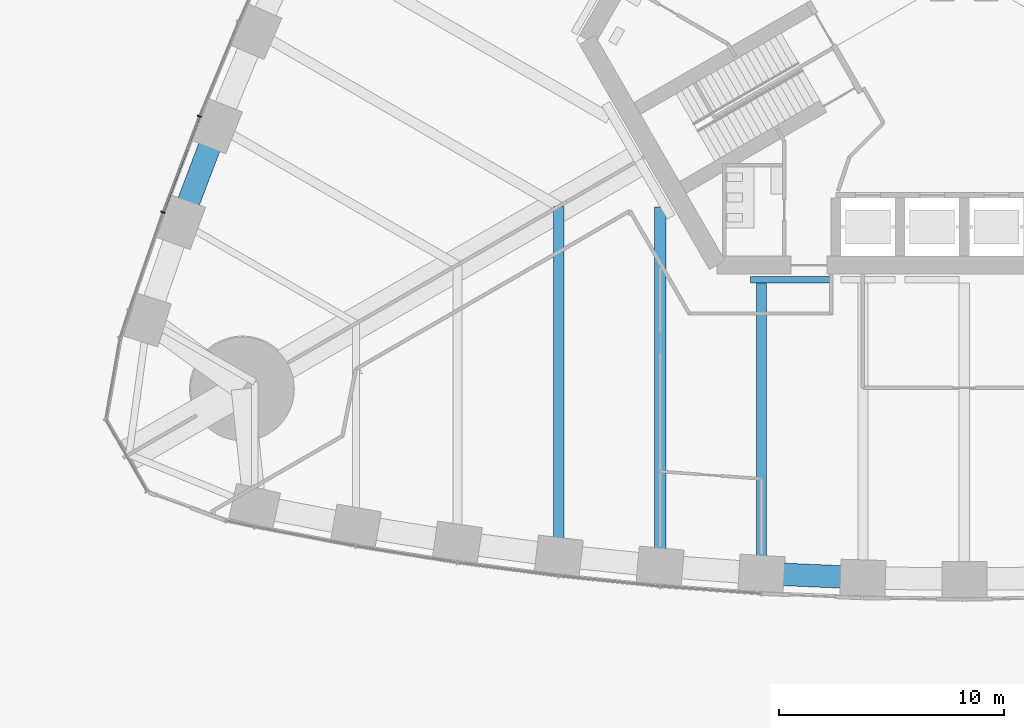
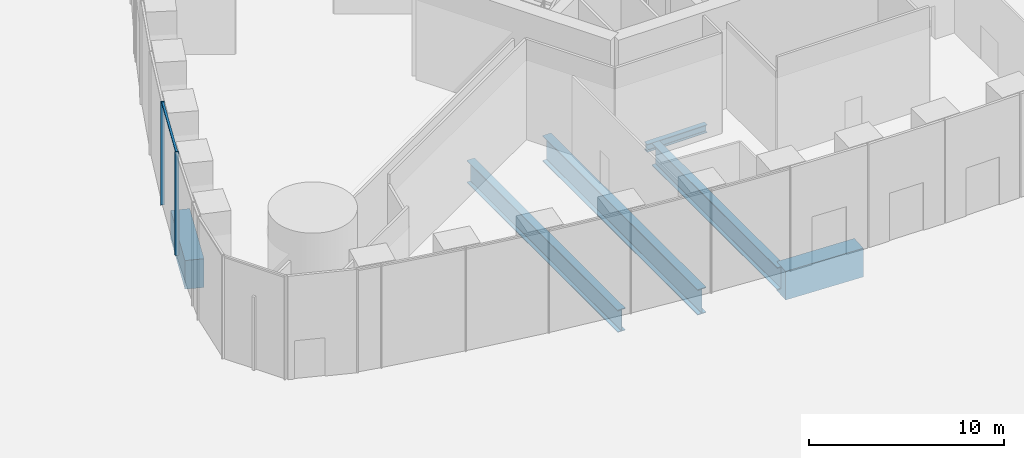
# One storey, part 3 of 43: 6 beams, 3 members, 1 element without a shape of its own.
"""IFC4 building model written with IfcOpenShell, lengths in metres."""

from ifc_helpers import new_model, si_unit, direction, frame, origin, origin_2d, place, context, subcontext, project, spatial, rectangle, i_section, extrude, material, material_profile, profile_set, type_object, element, aggregate, save


model = new_model("IFC4")

# Units and contexts
model_context = context("Model", 3, precision=1e-05, world=origin(), true_north=direction((0.0, 1.0)))
body_context = subcontext(model_context, "Body", "Model", "MODEL_VIEW")
ifc_project = project(units=[si_unit("LENGTHUNIT", "METRE"), si_unit("AREAUNIT", "SQUARE_METRE"), si_unit("VOLUMEUNIT", "CUBIC_METRE"), si_unit("PLANEANGLEUNIT", "RADIAN"), si_unit("MASSUNIT", "GRAM", prefix="KILO")], contexts=[model_context])

# Site, building, storey
site_placement = place(None, origin())
site = spatial("IfcSite", under=ifc_project, at=site_placement, CompositionType="ELEMENT")
building_placement = place(site_placement, origin())
building = spatial("IfcBuilding", under=site, at=building_placement, Name="Trefoil Bronze Tower", CompositionType="ELEMENT")
storey_placement = place(building_placement, origin())
storey = spatial("IfcBuildingStorey", under=building, at=storey_placement, Name="L00", CompositionType="ELEMENT", Elevation=0.0)

# Curtain wall, members
ifc_material_1 = material(Name="Tinted solar-control glass", Category="glass")
curtain_wall_type = type_object("IfcCurtainWallType", Name="Bronze podium storefront curtain wall", PredefinedType="USERDEFINED", material=ifc_material_1)
curtain_wall_placement = place(storey_placement, origin())
curtain_wall = element("IfcCurtainWall", 1, at=curtain_wall_placement, inside=storey, type_object=curtain_wall_type, Name="CW-C L00 F3 run 5", ObjectType="CURTAIN WALL", PredefinedType="USERDEFINED")
ifc_material_2 = material(Name="Bronze-finish aluminium", Category="aluminium")
ifc_material_profile_1 = material_profile(ifc_material_2, rectangle(XDim=0.199951171875, YDim=0.06005859375, at=origin_2d()), Name="CW-C mullion")
ifc_profile_set_1 = profile_set([ifc_material_profile_1], Name="Bronze-finish aluminium")
member_type_1 = type_object("IfcMemberType", Name="Bronze podium storefront curtain wall mullion", PredefinedType="MULLION", material=ifc_profile_set_1)
member_1_placement = place(storey_placement, frame((-33.953125, -6.394775390625, 0.0), z_axis=(0.0, 0.0, 1.0), x_axis=(0.929413605838, -0.369039766534, 0.0)))
member_1 = element("IfcMember", 2, at=member_1_placement, type_object=member_type_1, Name="CW-C L00 F3 run 5 mullion 3", PredefinedType="MULLION", context=body_context, shape_type="SweptSolid", body=[
    extrude(rectangle(XDim=0.199951171875, YDim=0.06005859375, at=origin_2d()), origin(), (0.0, 0.0, 1.0), 6.47998046875),
])
member_2_placement = place(storey_placement, frame((-35.573974609375, -10.658447265625, 0.0), z_axis=(0.0, 0.0, 1.0), x_axis=(0.939860248316, -0.341559238839, 0.0)))
member_2 = element("IfcMember", 3, at=member_2_placement, type_object=member_type_1, Name="CW-C L00 F3 run 5 mullion 4", PredefinedType="MULLION", context=body_context, shape_type="SweptSolid", body=[
    extrude(rectangle(XDim=0.199951171875, YDim=0.06005859375, at=origin_2d()), origin(), (0.0, 0.0, 1.0), 6.47998046875),
])
ifc_material_3 = material(Name="Bronze-finish aluminium", Category="aluminium")
ifc_material_profile_2 = material_profile(ifc_material_3, rectangle(XDim=0.1201171875, YDim=0.10009765625, at=origin_2d()), Name="CW-C transom")
ifc_profile_set_2 = profile_set([ifc_material_profile_2], Name="Bronze-finish aluminium")
member_type_2 = type_object("IfcMemberType", Name="Bronze podium storefront curtain wall transom", PredefinedType="USERDEFINED", material=ifc_profile_set_2)
member_3_placement = place(storey_placement, frame((-33.96435546875, -6.424072265625, 6.429931640625), z_axis=(-0.355324938334, -0.934742846026, 0.0), x_axis=(0.934742846026, -0.355324938334, 0.0)))
member_3 = element("IfcMember", 4, at=member_3_placement, type_object=member_type_2, Name="CW-C L00 F3 run 5 transom 3", ObjectType="TRANSOM", PredefinedType="USERDEFINED", context=body_context, shape_type="SweptSolid", body=[
    extrude(rectangle(XDim=0.1201171875, YDim=0.10009765625, at=origin_2d()), origin(), (0.0, 0.0, 1.0), 4.498291015625),
])
aggregate(curtain_wall, [member_1, member_2, member_3])

# Beams
ifc_material_4 = material(Name="Steel C355", Category="steel")
ifc_material_profile_3 = material_profile(ifc_material_4, i_section(OverallWidth=0.300048828125, OverallDepth=0.5, WebThickness=0.014404296875, FlangeThickness=0.028076171875, FilletRadius=0.027099609375, at=origin_2d()), Name="HEB 500")
ifc_profile_set_3 = profile_set([ifc_material_profile_3], Name="Steel C355")
beam_type_1 = type_object("IfcBeamType", Name="Core seat beam HEB 500", PredefinedType="BEAM", material=ifc_profile_set_3)
beam_1_placement = place(storey_placement, frame((-9.5, -13.64990234375, -0.550048828125), z_axis=(1.0, 0.0, 0.0), x_axis=(0.0, 1.0, 0.0)))
element("IfcBeam", 5, at=beam_1_placement, inside=storey, type_object=beam_type_1, Name="Core seat beam F1/-2 L00", PredefinedType="BEAM", context=body_context, shape_type="SweptSolid", body=[
    extrude(i_section(OverallWidth=0.300048828125, OverallDepth=0.5, WebThickness=0.014404296875, FlangeThickness=0.028076171875, FilletRadius=0.027099609375, at=origin_2d()), origin(), (0.0, 0.0, 1.0), 3.574951171875),
])
ifc_material_5 = material(Name="Steel C355", Category="steel")
ifc_material_profile_4 = material_profile(ifc_material_5, i_section(OverallWidth=0.449951171875, OverallDepth=1.39990234375, WebThickness=0.02294921875, FlangeThickness=0.044921875, FilletRadius=0.011962890625, at=origin_2d()), Name="WPG 1400")
ifc_profile_set_4 = profile_set([ifc_material_profile_4], Name="Steel C355")
beam_type_2 = type_object("IfcBeamType", Name="Floor beam WPG 1400", PredefinedType="BEAM", material=ifc_profile_set_4)
beam_2_placement = place(storey_placement, frame((-18.0, -25.895263671875, -1.0), z_axis=(0.0, 1.0, 0.0), x_axis=(-1.0, 0.0, 0.0)))
element("IfcBeam", 6, at=beam_2_placement, inside=storey, type_object=beam_type_2, Name="Floor beam F1/-4 L00", PredefinedType="BEAM", context=body_context, shape_type="SweptSolid", body=[
    extrude(i_section(OverallWidth=0.449951171875, OverallDepth=1.39990234375, WebThickness=0.02294921875, FlangeThickness=0.044921875, FilletRadius=0.011962890625, at=origin_2d()), origin(), (0.0, 0.0, 1.0), 15.5029296875),
])
beam_3_placement = place(storey_placement, frame((-9.0, -26.68603515625, -1.0), z_axis=(0.0, 1.0, 0.0), x_axis=(-1.0, 0.0, 0.0)))
element("IfcBeam", 7, at=beam_3_placement, inside=storey, type_object=beam_type_2, Name="Floor beam F1/-2 L00", PredefinedType="BEAM", context=body_context, shape_type="SweptSolid", body=[
    extrude(i_section(OverallWidth=0.449951171875, OverallDepth=1.39990234375, WebThickness=0.02294921875, FlangeThickness=0.044921875, FilletRadius=0.011962890625, at=origin_2d()), origin(), (0.0, 0.0, 1.0), 12.885986328125),
])
ifc_material_6 = material(Name="Steel C355", Category="steel")
ifc_material_profile_5 = material_profile(ifc_material_6, i_section(OverallWidth=0.5, OverallDepth=1.60009765625, WebThickness=0.02587890625, FlangeThickness=0.050048828125, FilletRadius=0.011962890625, at=origin_2d()), Name="WPG 1600")
ifc_profile_set_5 = profile_set([ifc_material_profile_5], Name="Steel C355")
beam_type_3 = type_object("IfcBeamType", Name="Floor beam WPG 1600", PredefinedType="BEAM", material=ifc_profile_set_5)
beam_4_placement = place(storey_placement, frame((-13.5, -26.35693359375, -1.10009765625), z_axis=(0.0, 1.0, 0.0), x_axis=(-1.0, 0.0, 0.0)))
element("IfcBeam", 8, at=beam_4_placement, inside=storey, type_object=beam_type_3, Name="Floor beam F1/-3 L00", PredefinedType="BEAM", context=body_context, shape_type="SweptSolid", body=[
    extrude(i_section(OverallWidth=0.5, OverallDepth=1.60009765625, WebThickness=0.02587890625, FlangeThickness=0.050048828125, FilletRadius=0.011962890625, at=origin_2d()), origin(), (0.0, 0.0, 1.0), 15.939697265625),
])
ifc_material_7 = material(Name="Concrete B80", Category="concrete")
ifc_material_profile_6 = material_profile(ifc_material_7, rectangle(XDim=1.0, YDim=1.800048828125, at=origin_2d()), Name="RC 1000x1800")
ifc_profile_set_6 = profile_set([ifc_material_profile_6], Name="Concrete B80")
beam_type_4 = type_object("IfcBeamType", Name="Spandrel beam RC 1000x1800", PredefinedType="SPANDREL", material=ifc_profile_set_6)
beam_5_placement = place(storey_placement, frame((-9.0, -26.68603515625, -1.199951171875), z_axis=(0.999042919826, -0.043740648671, 0.0), x_axis=(0.043740648671, 0.999042919826, 0.0)))
element("IfcBeam", 9, at=beam_5_placement, inside=storey, type_object=beam_type_4, Name="Spandrel F1.7 L00", PredefinedType="SPANDREL", context=body_context, shape_type="SweptSolid", body=[
    extrude(rectangle(XDim=1.0, YDim=1.800048828125, at=origin_2d()), origin(), (0.0, 0.0, 1.0), 4.50439453125),
])
beam_6_placement = place(storey_placement, frame((-33.159912109375, -6.8359375, -1.199951171875), z_axis=(-0.354571899767, -0.935028752443, 0.0), x_axis=(0.935028752443, -0.354571899767, 0.0)))
element("IfcBeam", 10, at=beam_6_placement, inside=storey, type_object=beam_type_4, Name="Spandrel F3.14 L00", PredefinedType="SPANDREL", context=body_context, shape_type="SweptSolid", body=[
    extrude(rectangle(XDim=1.0, YDim=1.800048828125, at=origin_2d()), origin(), (0.0, 0.0, 1.0), 4.558837890625),
])

save(model, "model.ifc")
